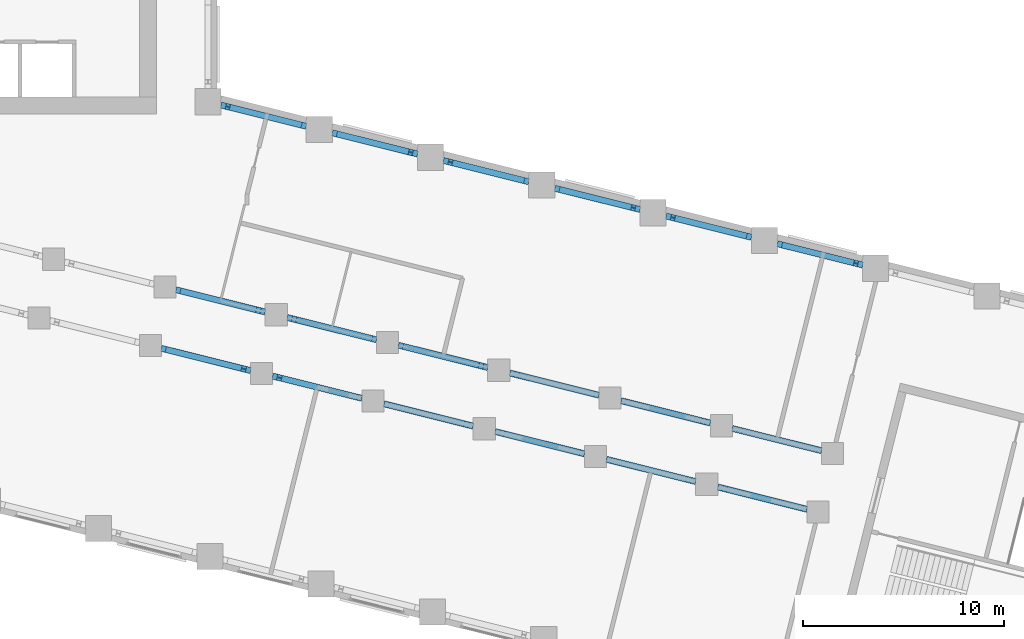
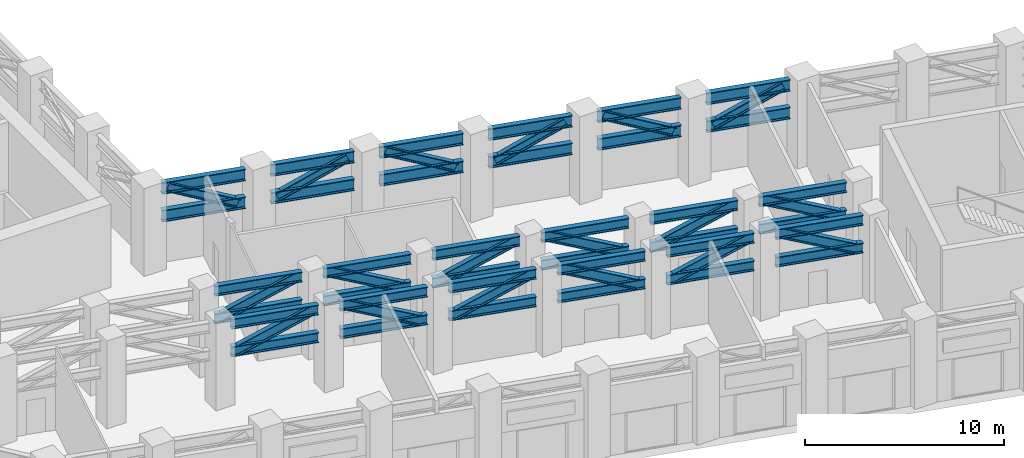
# One storey, part 5 of 21: 36 beams, 18 members.
"""IFC4 building model written with IfcOpenShell, lengths in metres."""

import ifcopenshell
import ifcopenshell.guid

model = None  # the IFC model being written
_history = None  # IfcOwnerHistory: only IFC2X3 demands one
_inside = {}  # id of a spatial element -> (the spatial element, [elements in it])
_under = {}  # id of a project, library or spatial element -> (it, [spatial elements below it])
_declared = {}  # id of a project -> (the project, [libraries it declares])
_typed = {}  # id of a type object -> (the type object, [elements of that type])
_made_of = {}  # id of a material, layer set ... -> (it, [elements and type objects made of it])


def new_model(schema):
    """Start an empty IFC model of exactly this schema.

    Asked for "IFC4X3", IfcOpenShell would pick the latest addendum, in which some entities
    have other attributes; the version numbers below select the first issue.
    IFC2X3 requires an IfcOwnerHistory on every rooted entity: one is made here for all.
    """
    global model, _history
    if schema == "IFC4X3":
        model = ifcopenshell.file(schema_version=(4, 3, 0, 0))
    else:
        model = ifcopenshell.file(schema=schema)
    _inside.clear()
    _under.clear()
    _declared.clear()
    _typed.clear()
    _made_of.clear()
    _history = None
    if model.schema == "IFC2X3":
        org = make("IfcOrganization", Name="unknown")
        user = make(
            "IfcPersonAndOrganization",
            ThePerson=make("IfcPerson", FamilyName="unknown"),
            TheOrganization=org,
        )
        app = make(
            "IfcApplication",
            ApplicationDeveloper=org,
            Version="unknown",
            ApplicationFullName="unknown",
            ApplicationIdentifier="unknown",
        )
        _history = make(
            "IfcOwnerHistory",
            OwningUser=user,
            OwningApplication=app,
            ChangeAction="ADDED",
            CreationDate=0,
        )
    return model


def make(cls, **values):
    """One entity of the class cls with the attributes given. An attribute that is None is left unset."""
    return model.create_entity(
        cls, **{name: value for name, value in values.items() if value is not None}
    )


def rooted(cls, **values):
    """An entity with a GlobalId (a new one), such as an element, a storey or a relation."""
    return make(cls, GlobalId=ifcopenshell.guid.new(), OwnerHistory=_history, **values)


def si_unit(unit_type, name, prefix=None):
    """IfcSIUnit, for example si_unit("LENGTHUNIT", "METRE", prefix="MILLI")."""
    return make("IfcSIUnit", UnitType=unit_type, Prefix=prefix, Name=name)


def assignment(units):
    """IfcUnitAssignment: the units of a project."""
    return None if units is None else make("IfcUnitAssignment", Units=units)


def point(xyz):
    """IfcCartesianPoint."""
    return None if xyz is None else make("IfcCartesianPoint", Coordinates=xyz)


def direction(xyz):
    """IfcDirection."""
    return None if xyz is None else make("IfcDirection", DirectionRatios=xyz)


def frame(location, z_axis=None, x_axis=None):
    """IfcAxis2Placement3D, a coordinate frame: its origin and axes. An axis left out is left unset."""
    return make(
        "IfcAxis2Placement3D",
        Location=point(location),
        Axis=direction(z_axis),
        RefDirection=direction(x_axis),
    )


def frame_2d(location, x_axis=None):
    """IfcAxis2Placement2D, a coordinate frame in the plane: its origin and x axis."""
    return make(
        "IfcAxis2Placement2D", Location=point(location), RefDirection=direction(x_axis)
    )


def origin():
    """The frame at (0, 0, 0) with its axes left unset."""
    return frame((0.0, 0.0, 0.0))


def origin_2d():
    """The frame at (0, 0) in the plane with its x axis left unset."""
    return frame_2d((0.0, 0.0))


def place(relative_to, where):
    """IfcLocalPlacement: puts the frame where relative to a parent placement (None: the world)."""
    return make(
        "IfcLocalPlacement", PlacementRelTo=relative_to, RelativePlacement=where
    )


def context(
    kind, dimensions, precision=None, world=None, true_north=None, identifier=None
):
    """IfcGeometricRepresentationContext, for example the 3D "Model" context."""
    return make(
        "IfcGeometricRepresentationContext",
        ContextIdentifier=identifier,
        ContextType=kind,
        CoordinateSpaceDimension=dimensions,
        Precision=precision,
        WorldCoordinateSystem=world,
        TrueNorth=true_north,
    )


def subcontext(parent, identifier, kind, view, scale=None):
    """IfcGeometricRepresentationSubContext, for example "Body" below "Model"."""
    return make(
        "IfcGeometricRepresentationSubContext",
        ContextIdentifier=identifier,
        ContextType=kind,
        ParentContext=parent,
        TargetScale=scale,
        TargetView=view,
    )


def project(units=None, contexts=None):
    """IfcProject with its units and contexts."""
    return rooted(
        "IfcProject",
        Name="project",
        RepresentationContexts=contexts,
        UnitsInContext=assignment(units),
    )


def spatial(cls, under=None, at=None, **own):
    """A site, building, storey or space (cls), placed at a placement, below another one or the project."""
    s = rooted(cls, ObjectPlacement=at, **own)
    if under is not None:
        _under.setdefault(under.id(), (under, []))[1].append(s)
    return s


def profile(cls, at=None, kind="AREA", **sizes):
    """A parametric profile (cls). Its sizes go by their IFC names, for example OverallWidth=200.0."""
    return make(cls, ProfileType=kind, Position=at, **sizes)


def i_section(**sizes):
    """IfcIShapeProfileDef."""
    return profile("IfcIShapeProfileDef", **sizes)


def extrude(swept, where, along, depth):
    """IfcExtrudedAreaSolid: the profile swept, set in the frame where, extruded along a direction by depth."""
    return make(
        "IfcExtrudedAreaSolid",
        SweptArea=swept,
        Position=where,
        ExtrudedDirection=direction(along),
        Depth=depth,
    )


def shape(context_of_items, identifier, shape_type, items):
    """IfcShapeRepresentation: the items that make up one representation, for example the "Body"."""
    return make(
        "IfcShapeRepresentation",
        ContextOfItems=context_of_items,
        RepresentationIdentifier=identifier,
        RepresentationType=shape_type,
        Items=items,
    )


def material(Name=None, Category=None):
    """IfcMaterial."""
    return make("IfcMaterial", Name=Name, Category=Category)


def material_profile(
    of_material, cross_section, Name=None, Category=None, Priority=None
):
    """IfcMaterialProfile: a cross section and its material."""
    return make(
        "IfcMaterialProfile",
        Name=Name,
        Material=of_material,
        Profile=cross_section,
        Priority=Priority,
        Category=Category,
    )


def profile_set(profiles, Name=None, composite=None):
    """IfcMaterialProfileSet."""
    return make(
        "IfcMaterialProfileSet",
        Name=Name,
        MaterialProfiles=profiles,
        CompositeProfile=composite,
    )


def made_of(thing, what):
    """Note that an element or type object is made of a material, layer set ...; save() writes the relation."""
    if what is not None:
        _made_of.setdefault(what.id(), (what, []))[1].append(thing)
    return thing


def type_object(cls, material=None, **own):
    """A type object (cls), such as IfcWallType, which elements share."""
    return made_of(rooted(cls, **own), material)


def element(
    cls,
    number,
    at=None,
    inside=None,
    cuts=None,
    type_object=None,
    material=None,
    context=None,
    identifier="Body",
    shape_type=None,
    held_by="IfcProductDefinitionShape",
    body=None,
    shapes=None,
    **own,
):
    """One element of the class cls, such as IfcWall. Its Tag is "e" and its number.

    at: its placement. inside: the storey or other place that contains it. cuts: it is an
    opening in that element (IfcRelVoidsElement). A single representation is given by context,
    identifier, shape_type and body (its items); several are given by shapes. held_by: the class
    of the entity that holds the representations. save() writes the other relations.
    """
    e = rooted(cls, Tag="e%d" % number, ObjectPlacement=at, **own)
    if body is not None:
        shapes = [shape(context, identifier, shape_type, body)]
    if shapes is not None:
        e.Representation = make(held_by, Representations=shapes)
    if inside is not None:
        _inside.setdefault(inside.id(), (inside, []))[1].append(e)
    if cuts is not None:
        rooted(
            "IfcRelVoidsElement", RelatingBuildingElement=cuts, RelatedOpeningElement=e
        )
    if type_object is not None:
        _typed.setdefault(type_object.id(), (type_object, []))[1].append(e)
    return made_of(e, material)


def aggregate(whole, parts):
    """IfcRelAggregates: a whole, such as a stair, and the parts it consists of."""
    return rooted("IfcRelAggregates", RelatingObject=whole, RelatedObjects=parts)


def save(model, path):
    """Write the relations noted so far, then the file.

    IfcRelAggregates (storeys below a building ...), IfcRelContainedInSpatialStructure (elements
    in a storey), IfcRelDefinesByType, IfcRelAssociatesMaterial and IfcRelDeclares: one each for
    every whole, place, type object, material and project.
    """
    for whole, parts in _under.values():
        aggregate(whole, parts)
    for where, things in _inside.values():
        rooted(
            "IfcRelContainedInSpatialStructure",
            RelatedElements=things,
            RelatingStructure=where,
        )
    for kind, things in _typed.values():
        rooted("IfcRelDefinesByType", RelatedObjects=things, RelatingType=kind)
    for what, things in _made_of.values():
        rooted("IfcRelAssociatesMaterial", RelatedObjects=things, RelatingMaterial=what)
    for by, libraries in _declared.values():
        rooted("IfcRelDeclares", RelatingContext=by, RelatedDefinitions=libraries)
    model.write(path)


model = new_model("IFC4")

# Units and contexts
model_context = context("Model", 3, precision=1e-05, world=origin(), true_north=direction((0.0, 1.0)))
body_context = subcontext(model_context, "Body", "Model", "MODEL_VIEW")
ifc_project = project(units=[si_unit("LENGTHUNIT", "METRE"), si_unit("AREAUNIT", "SQUARE_METRE"), si_unit("VOLUMEUNIT", "CUBIC_METRE"), si_unit("PLANEANGLEUNIT", "RADIAN"), si_unit("MASSUNIT", "GRAM", prefix="KILO")], contexts=[model_context])

# Site, building, storey
site_placement = place(None, origin())
site = spatial("IfcSite", under=ifc_project, at=site_placement, CompositionType="ELEMENT")
building_placement = place(site_placement, origin())
building = spatial("IfcBuilding", under=site, at=building_placement, Name="Meshkara Civic Tower", CompositionType="ELEMENT")
storey_placement = place(building_placement, frame((0.0, 0.0, 156.0)))
storey = spatial("IfcBuildingStorey", under=building, at=storey_placement, Name="L35", CompositionType="ELEMENT", Elevation=156.0)

# Beams
ifc_material_1 = material(Name="Steel S355", Category="steel")
ifc_material_profile_1 = material_profile(ifc_material_1, i_section(OverallWidth=0.303955078125, OverallDepth=0.716064453125, WebThickness=0.02099609375, FlangeThickness=0.0400390625, FilletRadius=0.027099609375, at=origin_2d()))
ifc_profile_set_1 = profile_set([ifc_material_profile_1], Name="Steel S355")
beam_type_1 = type_object("IfcBeamType", Name="Belt truss chord HEM 700 S355", PredefinedType="BEAM", material=ifc_profile_set_1)
for number, where, z_axis, x_axis, name in (
    (1, (65.888916015625, 6.605712890625, 4.741943359375), (-0.970293463154, 0.241930972304, 0.0), (-0.241930972304, -0.970293463154, 0.0), "Belt truss chord BBN06-BN05"),
    (2, (65.888916015625, 6.605712890625, 3.0419921875), (-0.970293463154, 0.241930972304, 0.0), (-0.241930972304, -0.970293463154, 0.0), "Belt truss chord BBN06-BN05"),
):
    element("IfcBeam", number, at=place(storey_placement, frame(where, z_axis=z_axis, x_axis=x_axis)), inside=storey, type_object=beam_type_1, Name=name, PredefinedType="BEAM", context=body_context, shape_type="SweptSolid", body=[
        extrude(i_section(OverallWidth=0.303955078125, OverallDepth=0.716064453125, WebThickness=0.02099609375, FlangeThickness=0.0400390625, FilletRadius=0.027099609375, at=origin_2d()), origin(), (0.0, 0.0, 1.0), 4.37060546875),
    ])
for number, where, z_axis, x_axis, name in (
    (3, (60.35791015625, 7.98486328125, 4.741943359375), (-0.970293497888, 0.241930832999, 0.0), (-0.241930832999, -0.970293497888, 0.0), "Belt truss chord BBN05-BN04"),
    (4, (60.35791015625, 7.98486328125, 3.0419921875), (-0.970293497888, 0.241930832999, 0.0), (-0.241930832999, -0.970293497888, 0.0), "Belt truss chord BBN05-BN04"),
):
    element("IfcBeam", number, at=place(storey_placement, frame(where, z_axis=z_axis, x_axis=x_axis)), inside=storey, type_object=beam_type_1, Name=name, PredefinedType="BEAM", context=body_context, shape_type="SweptSolid", body=[
        extrude(i_section(OverallWidth=0.303955078125, OverallDepth=0.716064453125, WebThickness=0.02099609375, FlangeThickness=0.0400390625, FilletRadius=0.027099609375, at=origin_2d()), origin(), (0.0, 0.0, 1.0), 4.36962890625),
    ])
for number, where, z_axis, x_axis, name in (
    (5, (54.827880859375, 9.36376953125, 4.741943359375), (-0.970293463154, 0.241930972304, 0.0), (-0.241930972304, -0.970293463154, 0.0), "Belt truss chord BBN04-BN03"),
    (6, (54.827880859375, 9.36376953125, 3.0419921875), (-0.970293463154, 0.241930972304, 0.0), (-0.241930972304, -0.970293463154, 0.0), "Belt truss chord BBN04-BN03"),
    (7, (49.296875, 10.742919921875, 4.741943359375), (-0.970293463154, 0.241930972304, 0.0), (-0.241930972304, -0.970293463154, 0.0), "Belt truss chord BBN03-BN02"),
    (8, (49.296875, 10.742919921875, 3.0419921875), (-0.970293463154, 0.241930972304, 0.0), (-0.241930972304, -0.970293463154, 0.0), "Belt truss chord BBN03-BN02"),
):
    element("IfcBeam", number, at=place(storey_placement, frame(where, z_axis=z_axis, x_axis=x_axis)), inside=storey, type_object=beam_type_1, Name=name, PredefinedType="BEAM", context=body_context, shape_type="SweptSolid", body=[
        extrude(i_section(OverallWidth=0.303955078125, OverallDepth=0.716064453125, WebThickness=0.02099609375, FlangeThickness=0.0400390625, FilletRadius=0.027099609375, at=origin_2d()), origin(), (0.0, 0.0, 1.0), 4.37060546875),
    ])
for number, where, z_axis, x_axis, name in (
    (9, (43.765869140625, 12.121826171875, 4.741943359375), (-0.970280380753, 0.241983434817, 0.0), (-0.241983434817, -0.970280380753, 0.0), "Belt truss chord BBN02-BN01"),
    (10, (43.765869140625, 12.121826171875, 3.0419921875), (-0.970280380753, 0.241983434817, 0.0), (-0.241983434817, -0.970280380753, 0.0), "Belt truss chord BBN02-BN01"),
):
    element("IfcBeam", number, at=place(storey_placement, frame(where, z_axis=z_axis, x_axis=x_axis)), inside=storey, type_object=beam_type_1, Name=name, PredefinedType="BEAM", context=body_context, shape_type="SweptSolid", body=[
        extrude(i_section(OverallWidth=0.303955078125, OverallDepth=0.716064453125, WebThickness=0.02099609375, FlangeThickness=0.0400390625, FilletRadius=0.027099609375, at=origin_2d()), origin(), (0.0, 0.0, 1.0), 4.36962890625),
    ])
for number, where, z_axis, x_axis, name in (
    (11, (38.23583984375, 13.500732421875, 4.741943359375), (-0.970293463154, 0.241930972304, 0.0), (-0.241930972304, -0.970293463154, 0.0), "Belt truss chord BBN01-HE00"),
    (12, (38.23583984375, 13.500732421875, 3.0419921875), (-0.970293463154, 0.241930972304, 0.0), (-0.241930972304, -0.970293463154, 0.0), "Belt truss chord BBN01-HE00"),
):
    element("IfcBeam", number, at=place(storey_placement, frame(where, z_axis=z_axis, x_axis=x_axis)), inside=storey, type_object=beam_type_1, Name=name, PredefinedType="BEAM", context=body_context, shape_type="SweptSolid", body=[
        extrude(i_section(OverallWidth=0.303955078125, OverallDepth=0.716064453125, WebThickness=0.02099609375, FlangeThickness=0.0400390625, FilletRadius=0.027099609375, at=origin_2d()), origin(), (0.0, 0.0, 1.0), 4.37060546875),
    ])
ifc_material_2 = material(Name="Steel S355", Category="steel")
ifc_material_profile_2 = material_profile(ifc_material_2, i_section(OverallWidth=0.304931640625, OverallDepth=0.6201171875, WebThickness=0.02099609375, FlangeThickness=0.0400390625, FilletRadius=0.027099609375, at=origin_2d()))
ifc_profile_set_2 = profile_set([ifc_material_profile_2], Name="Steel S355")
beam_type_2 = type_object("IfcBeamType", Name="Outrigger chord HEM 600 S355", PredefinedType="BEAM", material=ifc_profile_set_2)
for number, where, z_axis, x_axis, name in (
    (13, (31.030029296875, 2.466064453125, 4.7900390625), (0.970299186733, -0.241908016044, 0.0), (0.241908016044, 0.970299186733, 0.0), "Outrigger chord OSB1-SB1-02-SB1-03"),
    (14, (31.030029296875, 2.466064453125, 3.090087890625), (0.970299186733, -0.241908016044, 0.0), (0.241908016044, 0.970299186733, 0.0), "Outrigger chord OSB1-SB1-02-SB1-03"),
):
    element("IfcBeam", number, at=place(storey_placement, frame(where, z_axis=z_axis, x_axis=x_axis)), inside=storey, type_object=beam_type_2, Name=name, PredefinedType="BEAM", context=body_context, shape_type="SweptSolid", body=[
        extrude(i_section(OverallWidth=0.304931640625, OverallDepth=0.6201171875, WebThickness=0.02099609375, FlangeThickness=0.0400390625, FilletRadius=0.027099609375, at=origin_2d()), origin(), (0.0, 0.0, 1.0), 4.576904296875),
    ])
for number, where, z_axis, x_axis, name in (
    (15, (36.56103515625, 1.087158203125, 4.7900390625), (0.970286696562, -0.241958108925, 0.0), (0.241958108925, 0.970286696562, 0.0), "Outrigger chord OSB1-SB1-03-SB1-04"),
    (16, (36.56103515625, 1.087158203125, 3.090087890625), (0.970286696562, -0.241958108925, 0.0), (0.241958108925, 0.970286696562, 0.0), "Outrigger chord OSB1-SB1-03-SB1-04"),
):
    element("IfcBeam", number, at=place(storey_placement, frame(where, z_axis=z_axis, x_axis=x_axis)), inside=storey, type_object=beam_type_2, Name=name, PredefinedType="BEAM", context=body_context, shape_type="SweptSolid", body=[
        extrude(i_section(OverallWidth=0.304931640625, OverallDepth=0.6201171875, WebThickness=0.02099609375, FlangeThickness=0.0400390625, FilletRadius=0.027099609375, at=origin_2d()), origin(), (0.0, 0.0, 1.0), 4.575927734375),
    ])
for number, where, z_axis, x_axis, name in (
    (17, (42.091064453125, -0.2919921875, 4.7900390625), (0.970299186733, -0.241908016044, 0.0), (0.241908016044, 0.970299186733, 0.0), "Outrigger chord OSB1-SB1-04-SB1-05"),
    (18, (42.091064453125, -0.2919921875, 3.090087890625), (0.970299186733, -0.241908016044, 0.0), (0.241908016044, 0.970299186733, 0.0), "Outrigger chord OSB1-SB1-04-SB1-05"),
    (19, (47.6220703125, -1.6708984375, 4.7900390625), (0.970299186733, -0.241908016044, 0.0), (0.241908016044, 0.970299186733, 0.0), "Outrigger chord OSB1-SB1-05-SB1-06"),
    (20, (47.6220703125, -1.6708984375, 3.090087890625), (0.970299186733, -0.241908016044, 0.0), (0.241908016044, 0.970299186733, 0.0), "Outrigger chord OSB1-SB1-05-SB1-06"),
):
    element("IfcBeam", number, at=place(storey_placement, frame(where, z_axis=z_axis, x_axis=x_axis)), inside=storey, type_object=beam_type_2, Name=name, PredefinedType="BEAM", context=body_context, shape_type="SweptSolid", body=[
        extrude(i_section(OverallWidth=0.304931640625, OverallDepth=0.6201171875, WebThickness=0.02099609375, FlangeThickness=0.0400390625, FilletRadius=0.027099609375, at=origin_2d()), origin(), (0.0, 0.0, 1.0), 4.576904296875),
    ])
for number, where, z_axis, x_axis, name in (
    (21, (53.153076171875, -3.0498046875, 4.7900390625), (0.970336738613, -0.241757344662, 0.0), (0.241757344662, 0.970336738613, 0.0), "Outrigger chord OSB1-SB1-06-SB1-07"),
    (22, (53.153076171875, -3.0498046875, 3.090087890625), (0.970336738613, -0.241757344662, 0.0), (0.241757344662, 0.970336738613, 0.0), "Outrigger chord OSB1-SB1-06-SB1-07"),
):
    element("IfcBeam", number, at=place(storey_placement, frame(where, z_axis=z_axis, x_axis=x_axis)), inside=storey, type_object=beam_type_2, Name=name, PredefinedType="BEAM", context=body_context, shape_type="SweptSolid", body=[
        extrude(i_section(OverallWidth=0.304931640625, OverallDepth=0.6201171875, WebThickness=0.02099609375, FlangeThickness=0.0400390625, FilletRadius=0.027099609375, at=origin_2d()), origin(), (0.0, 0.0, 1.0), 4.57666015625),
    ])
for number, where, z_axis, x_axis, name in (
    (23, (58.68408203125, -4.427978515625, 4.7900390625), (0.970283572807, -0.241970635286, 0.0), (0.241970635286, 0.970283572807, 0.0), "Outrigger chord OSB1-SB1-07-SB1-08"),
    (24, (58.68408203125, -4.427978515625, 3.090087890625), (0.970283572807, -0.241970635286, 0.0), (0.241970635286, 0.970283572807, 0.0), "Outrigger chord OSB1-SB1-07-SB1-08"),
):
    element("IfcBeam", number, at=place(storey_placement, frame(where, z_axis=z_axis, x_axis=x_axis)), inside=storey, type_object=beam_type_2, Name=name, PredefinedType="BEAM", context=body_context, shape_type="SweptSolid", body=[
        extrude(i_section(OverallWidth=0.304931640625, OverallDepth=0.6201171875, WebThickness=0.02099609375, FlangeThickness=0.0400390625, FilletRadius=0.027099609375, at=origin_2d()), origin(), (0.0, 0.0, 1.0), 4.57568359375),
    ])
for number, where, z_axis, x_axis, name in (
    (25, (31.756103515625, 5.377197265625, 4.7900390625), (0.970299186733, -0.241908016044, 0.0), (0.241908016044, 0.970299186733, 0.0), "Outrigger chord OSB2-SB2-02-SB2-03"),
    (26, (31.756103515625, 5.377197265625, 3.090087890625), (0.970299186733, -0.241908016044, 0.0), (0.241908016044, 0.970299186733, 0.0), "Outrigger chord OSB2-SB2-02-SB2-03"),
):
    element("IfcBeam", number, at=place(storey_placement, frame(where, z_axis=z_axis, x_axis=x_axis)), inside=storey, type_object=beam_type_2, Name=name, PredefinedType="BEAM", context=body_context, shape_type="SweptSolid", body=[
        extrude(i_section(OverallWidth=0.304931640625, OverallDepth=0.6201171875, WebThickness=0.02099609375, FlangeThickness=0.0400390625, FilletRadius=0.027099609375, at=origin_2d()), origin(), (0.0, 0.0, 1.0), 4.576904296875),
    ])
for number, where, z_axis, x_axis, name in (
    (27, (37.287109375, 3.998046875, 4.7900390625), (0.970283572807, -0.241970635286, 0.0), (0.241970635286, 0.970283572807, 0.0), "Outrigger chord OSB2-SB2-03-SB2-04"),
    (28, (37.287109375, 3.998046875, 3.090087890625), (0.970283572807, -0.241970635286, 0.0), (0.241970635286, 0.970283572807, 0.0), "Outrigger chord OSB2-SB2-03-SB2-04"),
):
    element("IfcBeam", number, at=place(storey_placement, frame(where, z_axis=z_axis, x_axis=x_axis)), inside=storey, type_object=beam_type_2, Name=name, PredefinedType="BEAM", context=body_context, shape_type="SweptSolid", body=[
        extrude(i_section(OverallWidth=0.304931640625, OverallDepth=0.6201171875, WebThickness=0.02099609375, FlangeThickness=0.0400390625, FilletRadius=0.027099609375, at=origin_2d()), origin(), (0.0, 0.0, 1.0), 4.57568359375),
    ])
for number, where, z_axis, x_axis, name in (
    (29, (42.817138671875, 2.619140625, 4.7900390625), (0.970296064917, -0.24192053738, 0.0), (0.24192053738, 0.970296064917, 0.0), "Outrigger chord OSB2-SB2-04-SB2-05"),
    (30, (42.817138671875, 2.619140625, 3.090087890625), (0.970296064917, -0.24192053738, 0.0), (0.24192053738, 0.970296064917, 0.0), "Outrigger chord OSB2-SB2-04-SB2-05"),
    (31, (48.34814453125, 1.239990234375, 4.7900390625), (0.970296064917, -0.24192053738, 0.0), (0.24192053738, 0.970296064917, 0.0), "Outrigger chord OSB2-SB2-05-SB2-06"),
    (32, (48.34814453125, 1.239990234375, 3.090087890625), (0.970296064917, -0.24192053738, 0.0), (0.24192053738, 0.970296064917, 0.0), "Outrigger chord OSB2-SB2-05-SB2-06"),
):
    element("IfcBeam", number, at=place(storey_placement, frame(where, z_axis=z_axis, x_axis=x_axis)), inside=storey, type_object=beam_type_2, Name=name, PredefinedType="BEAM", context=body_context, shape_type="SweptSolid", body=[
        extrude(i_section(OverallWidth=0.304931640625, OverallDepth=0.6201171875, WebThickness=0.02099609375, FlangeThickness=0.0400390625, FilletRadius=0.027099609375, at=origin_2d()), origin(), (0.0, 0.0, 1.0), 4.57666015625),
    ])
for number, where, z_axis, x_axis, name in (
    (33, (53.879150390625, -0.138916015625, 4.7900390625), (0.970283572807, -0.241970635286, 0.0), (0.241970635286, 0.970283572807, 0.0), "Outrigger chord OSB2-SB2-06-SB2-07"),
    (34, (53.879150390625, -0.138916015625, 3.090087890625), (0.970283572807, -0.241970635286, 0.0), (0.241970635286, 0.970283572807, 0.0), "Outrigger chord OSB2-SB2-06-SB2-07"),
):
    element("IfcBeam", number, at=place(storey_placement, frame(where, z_axis=z_axis, x_axis=x_axis)), inside=storey, type_object=beam_type_2, Name=name, PredefinedType="BEAM", context=body_context, shape_type="SweptSolid", body=[
        extrude(i_section(OverallWidth=0.304931640625, OverallDepth=0.6201171875, WebThickness=0.02099609375, FlangeThickness=0.0400390625, FilletRadius=0.027099609375, at=origin_2d()), origin(), (0.0, 0.0, 1.0), 4.57568359375),
    ])
for number, where, z_axis, x_axis, name in (
    (35, (59.4091796875, -1.517822265625, 4.7900390625), (0.970296064917, -0.24192053738, 0.0), (0.24192053738, 0.970296064917, 0.0), "Outrigger chord OSB2-SB2-07-SB2-08"),
    (36, (59.4091796875, -1.517822265625, 3.090087890625), (0.970296064917, -0.24192053738, 0.0), (0.24192053738, 0.970296064917, 0.0), "Outrigger chord OSB2-SB2-07-SB2-08"),
):
    element("IfcBeam", number, at=place(storey_placement, frame(where, z_axis=z_axis, x_axis=x_axis)), inside=storey, type_object=beam_type_2, Name=name, PredefinedType="BEAM", context=body_context, shape_type="SweptSolid", body=[
        extrude(i_section(OverallWidth=0.304931640625, OverallDepth=0.6201171875, WebThickness=0.02099609375, FlangeThickness=0.0400390625, FilletRadius=0.027099609375, at=origin_2d()), origin(), (0.0, 0.0, 1.0), 4.57666015625),
    ])

# Members
ifc_material_3 = material(Name="Steel S355", Category="steel")
ifc_material_profile_3 = material_profile(ifc_material_3, i_section(OverallWidth=0.300048828125, OverallDepth=0.60009765625, WebThickness=0.015380859375, FlangeThickness=0.030029296875, FilletRadius=0.027099609375, at=origin_2d()))
ifc_profile_set_3 = profile_set([ifc_material_profile_3], Name="Steel S355")
member_type_1 = type_object("IfcMemberType", Name="Truss diagonal HEB 600 S355", PredefinedType="BRACE", material=ifc_profile_set_3)
member_1_placement = place(storey_placement, frame((31.369873046875, 2.38134765625, 3.090087890625), z_axis=(0.88860505595, -0.221545632864, 0.401619953562), x_axis=(0.241913166558, 0.970297902629, 0.0)))
element("IfcMember", 37, at=member_1_placement, inside=storey, type_object=member_type_1, Name="TD-OSB1-SB1-02-SB1-03-L35", PredefinedType="BRACE", context=body_context, shape_type="SweptSolid", body=[
    extrude(i_section(OverallWidth=0.300048828125, OverallDepth=0.60009765625, WebThickness=0.015380859375, FlangeThickness=0.030029296875, FilletRadius=0.027099609375, at=origin_2d()), origin(), (0.0, 0.0, 1.0), 4.232666015625),
])
member_2_placement = place(storey_placement, frame((36.900634765625, 1.00244140625, 4.7900390625), z_axis=(0.888580783015, -0.221568345077, -0.401661126469), x_axis=(0.241942737233, 0.970290529636, 0.0)))
element("IfcMember", 38, at=member_2_placement, inside=storey, type_object=member_type_1, Name="TD-OSB1-SB1-03-SB1-04-L35", PredefinedType="BRACE", context=body_context, shape_type="SweptSolid", body=[
    extrude(i_section(OverallWidth=0.300048828125, OverallDepth=0.60009765625, WebThickness=0.015380859375, FlangeThickness=0.030029296875, FilletRadius=0.027099609375, at=origin_2d()), origin(), (0.0, 0.0, 1.0), 4.232421875),
])
for number, where, z_axis, x_axis, name in (
    (39, (42.430908203125, -0.376708984375, 3.090087890625), (0.88860505595, -0.221545632864, 0.401619953562), (0.241913166558, 0.970297902629, 0.0), "TD-OSB1-SB1-04-SB1-05-L35"),
    (40, (47.9619140625, -1.755615234375, 4.7900390625), (0.88860505595, -0.221545632864, -0.401619953562), (0.241913166558, 0.970297902629, 0.0), "TD-OSB1-SB1-05-SB1-06-L35"),
    (41, (53.492919921875, -3.134521484375, 3.090087890625), (0.888639109896, -0.221381079046, 0.401635344814), (0.24173526637, 0.970342239106, 0.0), "TD-OSB1-SB1-06-SB1-07-L35"),
):
    element("IfcMember", number, at=place(storey_placement, frame(where, z_axis=z_axis, x_axis=x_axis)), inside=storey, type_object=member_type_1, Name=name, PredefinedType="BRACE", context=body_context, shape_type="SweptSolid", body=[
        extrude(i_section(OverallWidth=0.300048828125, OverallDepth=0.60009765625, WebThickness=0.015380859375, FlangeThickness=0.030029296875, FilletRadius=0.027099609375, at=origin_2d()), origin(), (0.0, 0.0, 1.0), 4.232666015625),
    ])
member_3_placement = place(storey_placement, frame((59.023681640625, -4.5126953125, 4.7900390625), z_axis=(0.888568643748, -0.221579702697, -0.401681715667), x_axis=(0.241957525197, 0.970286842125, 0.0)))
element("IfcMember", 42, at=member_3_placement, inside=storey, type_object=member_type_1, Name="TD-OSB1-SB1-07-SB1-08-L35", PredefinedType="BRACE", context=body_context, shape_type="SweptSolid", body=[
    extrude(i_section(OverallWidth=0.300048828125, OverallDepth=0.60009765625, WebThickness=0.015380859375, FlangeThickness=0.030029296875, FilletRadius=0.027099609375, at=origin_2d()), origin(), (0.0, 0.0, 1.0), 4.232177734375),
])
member_4_placement = place(storey_placement, frame((32.095703125, 5.29248046875, 3.090087890625), z_axis=(0.88860583427, -0.221589122818, 0.401594237945), x_axis=(0.241957675318, 0.97028680469, 0.0)))
element("IfcMember", 43, at=member_4_placement, inside=storey, type_object=member_type_1, Name="TD-OSB2-SB2-02-SB2-03-L35", PredefinedType="BRACE", context=body_context, shape_type="SweptSolid", body=[
    extrude(i_section(OverallWidth=0.300048828125, OverallDepth=0.60009765625, WebThickness=0.015380859375, FlangeThickness=0.030029296875, FilletRadius=0.027099609375, at=origin_2d()), origin(), (0.0, 0.0, 1.0), 4.23291015625),
])
member_5_placement = place(storey_placement, frame((37.626708984375, 3.913330078125, 4.7900390625), z_axis=(0.888568643748, -0.221579702697, -0.401681715667), x_axis=(0.241957525197, 0.970286842125, 0.0)))
element("IfcMember", 44, at=member_5_placement, inside=storey, type_object=member_type_1, Name="TD-OSB2-SB2-03-SB2-04-L35", PredefinedType="BRACE", context=body_context, shape_type="SweptSolid", body=[
    extrude(i_section(OverallWidth=0.300048828125, OverallDepth=0.60009765625, WebThickness=0.015380859375, FlangeThickness=0.030029296875, FilletRadius=0.027099609375, at=origin_2d()), origin(), (0.0, 0.0, 1.0), 4.232177734375),
])
for number, where, z_axis, x_axis, name in (
    (45, (43.15673828125, 2.534423828125, 3.090087890625), (0.888617189618, -0.221534278271, 0.401599369852), (0.241898383847, 0.970301588112, 0.0), "TD-OSB2-SB2-04-SB2-05-L35"),
    (46, (48.687744140625, 1.155517578125, 4.7900390625), (0.88860583427, -0.221589122818, -0.401594237945), (0.241957675318, 0.97028680469, 0.0), "TD-OSB2-SB2-05-SB2-06-L35"),
):
    element("IfcMember", number, at=place(storey_placement, frame(where, z_axis=z_axis, x_axis=x_axis)), inside=storey, type_object=member_type_1, Name=name, PredefinedType="BRACE", context=body_context, shape_type="SweptSolid", body=[
        extrude(i_section(OverallWidth=0.300048828125, OverallDepth=0.60009765625, WebThickness=0.015380859375, FlangeThickness=0.030029296875, FilletRadius=0.027099609375, at=origin_2d()), origin(), (0.0, 0.0, 1.0), 4.23291015625),
    ])
member_6_placement = place(storey_placement, frame((54.21875, -0.2236328125, 3.090087890625), z_axis=(0.888568643748, -0.221579702697, 0.401681715667), x_axis=(0.241957525197, 0.970286842125, 0.0)))
element("IfcMember", 47, at=member_6_placement, inside=storey, type_object=member_type_1, Name="TD-OSB2-SB2-06-SB2-07-L35", PredefinedType="BRACE", context=body_context, shape_type="SweptSolid", body=[
    extrude(i_section(OverallWidth=0.300048828125, OverallDepth=0.60009765625, WebThickness=0.015380859375, FlangeThickness=0.030029296875, FilletRadius=0.027099609375, at=origin_2d()), origin(), (0.0, 0.0, 1.0), 4.232177734375),
])
member_7_placement = place(storey_placement, frame((59.748779296875, -1.6025390625, 4.7900390625), z_axis=(0.888617189618, -0.221534278271, -0.401599369852), x_axis=(0.241898383847, 0.970301588112, 0.0)))
element("IfcMember", 48, at=member_7_placement, inside=storey, type_object=member_type_1, Name="TD-OSB2-SB2-07-SB2-08-L35", PredefinedType="BRACE", context=body_context, shape_type="SweptSolid", body=[
    extrude(i_section(OverallWidth=0.300048828125, OverallDepth=0.60009765625, WebThickness=0.015380859375, FlangeThickness=0.030029296875, FilletRadius=0.027099609375, at=origin_2d()), origin(), (0.0, 0.0, 1.0), 4.23291015625),
])
ifc_material_4 = material(Name="Steel S355", Category="steel")
ifc_material_profile_4 = material_profile(ifc_material_4, i_section(OverallWidth=0.305908203125, OverallDepth=0.52392578125, WebThickness=0.02392578125, FlangeThickness=0.0400390625, FilletRadius=0.027099609375, at=origin_2d()))
ifc_profile_set_4 = profile_set([ifc_material_profile_4], Name="Steel S355")
member_type_2 = type_object("IfcMemberType", Name="Truss diagonal HEM 500 S355", PredefinedType="BRACE", material=ifc_profile_set_4)
member_8_placement = place(storey_placement, frame((65.54931640625, 6.6904296875, 4.741943359375), z_axis=(-0.880445153912, 0.21956810186, -0.420245380223), x_axis=(-0.241972184814, -0.970283186382, 0.0)))
element("IfcMember", 49, at=member_8_placement, inside=storey, type_object=member_type_2, Name="TD-BBN06-BN05-L35", PredefinedType="BRACE", context=body_context, shape_type="SweptSolid", body=[
    extrude(i_section(OverallWidth=0.305908203125, OverallDepth=0.52392578125, WebThickness=0.02392578125, FlangeThickness=0.0400390625, FilletRadius=0.027099609375, at=origin_2d()), origin(), (0.0, 0.0, 1.0), 4.045166015625),
])
member_9_placement = place(storey_placement, frame((60.018310546875, 8.069580078125, 3.0419921875), z_axis=(-0.88040253266, 0.219557323867, 0.420340293123), x_axis=(-0.241972030243, -0.97028322493, 0.0)))
element("IfcMember", 50, at=member_9_placement, inside=storey, type_object=member_type_2, Name="TD-BBN05-BN04-L35", PredefinedType="BRACE", context=body_context, shape_type="SweptSolid", body=[
    extrude(i_section(OverallWidth=0.305908203125, OverallDepth=0.52392578125, WebThickness=0.02392578125, FlangeThickness=0.0400390625, FilletRadius=0.027099609375, at=origin_2d()), origin(), (0.0, 0.0, 1.0), 4.044189453125),
])
for number, where, z_axis, x_axis, name in (
    (51, (54.48828125, 9.448486328125, 4.741943359375), (-0.880456820048, 0.219510656328, -0.420250948588), (-0.24190956522, -0.970298800502, 0.0), "TD-BBN04-BN03-L35"),
    (52, (48.957275390625, 10.827392578125, 3.0419921875), (-0.880445153912, 0.21956810186, 0.420245380223), (-0.241972184814, -0.970283186382, 0.0), "TD-BBN03-BN02-L35"),
):
    element("IfcMember", number, at=place(storey_placement, frame(where, z_axis=z_axis, x_axis=x_axis)), inside=storey, type_object=member_type_2, Name=name, PredefinedType="BRACE", context=body_context, shape_type="SweptSolid", body=[
        extrude(i_section(OverallWidth=0.305908203125, OverallDepth=0.52392578125, WebThickness=0.02392578125, FlangeThickness=0.0400390625, FilletRadius=0.027099609375, at=origin_2d()), origin(), (0.0, 0.0, 1.0), 4.045166015625),
    ])
member_10_placement = place(storey_placement, frame((43.42626953125, 12.20654296875, 4.741943359375), z_axis=(-0.88040253266, 0.219557323867, -0.420340293123), x_axis=(-0.241972030243, -0.97028322493, 0.0)))
element("IfcMember", 53, at=member_10_placement, inside=storey, type_object=member_type_2, Name="TD-BBN02-BN01-L35", PredefinedType="BRACE", context=body_context, shape_type="SweptSolid", body=[
    extrude(i_section(OverallWidth=0.305908203125, OverallDepth=0.52392578125, WebThickness=0.02392578125, FlangeThickness=0.0400390625, FilletRadius=0.027099609375, at=origin_2d()), origin(), (0.0, 0.0, 1.0), 4.044189453125),
])
member_11_placement = place(storey_placement, frame((37.896240234375, 13.58544921875, 3.0419921875), z_axis=(-0.880456820048, 0.219510656328, 0.420250948588), x_axis=(-0.24190956522, -0.970298800502, 0.0)))
element("IfcMember", 54, at=member_11_placement, inside=storey, type_object=member_type_2, Name="TD-BBN01-HE00-L35", PredefinedType="BRACE", context=body_context, shape_type="SweptSolid", body=[
    extrude(i_section(OverallWidth=0.305908203125, OverallDepth=0.52392578125, WebThickness=0.02392578125, FlangeThickness=0.0400390625, FilletRadius=0.027099609375, at=origin_2d()), origin(), (0.0, 0.0, 1.0), 4.045166015625),
])

save(model, "model.ifc")
